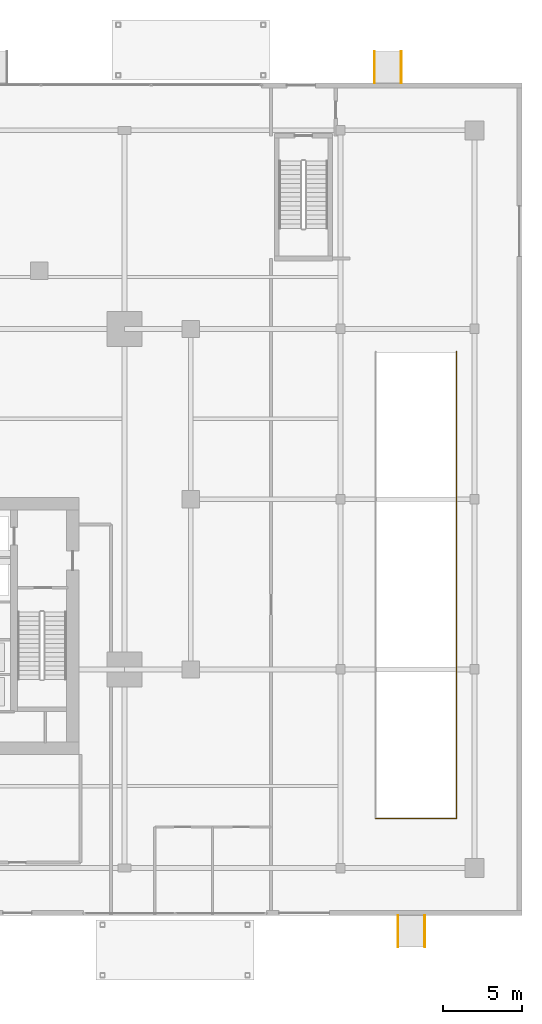
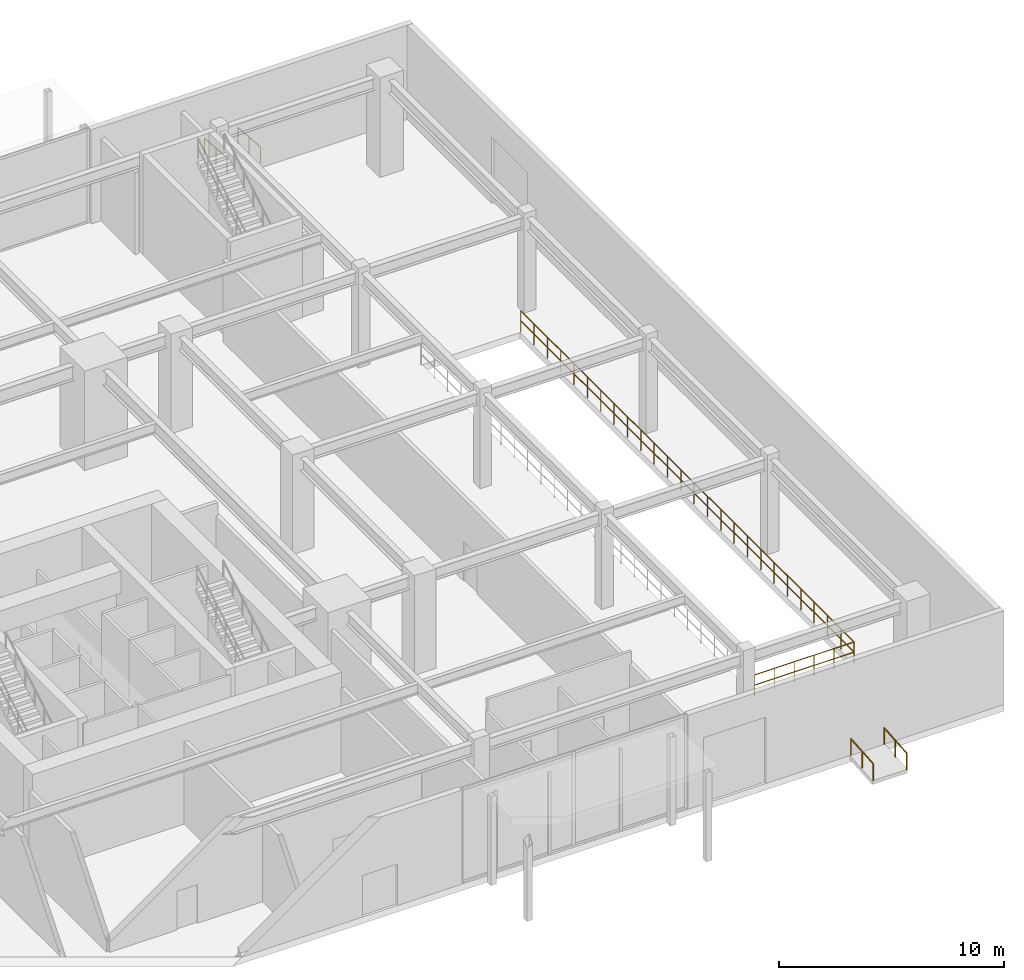
# One storey, part 26 of 28: 6 railings.
"""IFC4 building model written with IfcOpenShell, lengths in metres."""

from ifc_helpers import new_model, si_unit, direction, frame, origin, origin_2d, place, context, subcontext, project, spatial, circle, extrude, material, layer, layer_set, type_object, element, save


model = new_model("IFC4")

# Units and contexts
model_context = context("Model", 3, precision=1e-05, world=origin(), true_north=direction((0.0, 1.0)))
body_context = subcontext(model_context, "Body", "Model", "MODEL_VIEW")
ifc_project = project(units=[si_unit("LENGTHUNIT", "METRE"), si_unit("AREAUNIT", "SQUARE_METRE"), si_unit("VOLUMEUNIT", "CUBIC_METRE"), si_unit("PLANEANGLEUNIT", "RADIAN"), si_unit("MASSUNIT", "GRAM", prefix="KILO")], contexts=[model_context])

# Site, building, storey
site_placement = place(None, origin())
site = spatial("IfcSite", under=ifc_project, at=site_placement, CompositionType="ELEMENT")
building_placement = place(site_placement, origin())
building = spatial("IfcBuilding", under=site, at=building_placement, Name="Krantzveldt Concourse Tower", CompositionType="ELEMENT")
storey_placement = place(building_placement, origin())
storey = spatial("IfcBuildingStorey", under=building, at=storey_placement, Name="L00", CompositionType="ELEMENT", Elevation=0.0)

# Railings
ifc_material = material(Name="Stainless steel 316L", Category="steel")
ifc_layer_1 = layer(ifc_material, 0.06005859375, Name="Stainless steel 316L", Category="steel")
ifc_layer_set_1 = layer_set([ifc_layer_1], Name="Stainless steel 316L (RL-GUARD-1120)")
railing_type_1 = type_object("IfcRailingType", Name="RL-GUARD-1120", PredefinedType="GUARDRAIL", material=ifc_layer_set_1)
railing_1_placement = place(storey_placement, frame((62.739990234375, 6.43994140625, 0.0)))
element("IfcRailing", 1, at=railing_1_placement, inside=storey, type_object=railing_type_1, Name="GD-L00-VRMP-2", PredefinedType="GUARDRAIL", context=body_context, shape_type="SweptSolid", body=[
    extrude(circle(Radius=0.02392578125, at=origin_2d()), frame((0.0, 0.0, 1.1259765625), z_axis=(1.0, 0.0, 0.0), x_axis=(0.0, 1.0, 0.0)), (0.0, 0.0, 1.0), 5.1201171875),
    extrude(circle(Radius=0.02392578125, at=origin_2d()), frame((0.0, 0.0, 0.574951171875), z_axis=(1.0, 0.0, 0.0), x_axis=(0.0, 1.0, 0.0)), (0.0, 0.0, 1.0), 5.1201171875),
    extrude(circle(Radius=0.02099609375, at=origin_2d()), origin(), (0.0, 0.0, 1.0), 1.101806640625),
    extrude(circle(Radius=0.02099609375, at=origin_2d()), frame((1.02392578125, 0.0, 0.0)), (0.0, 0.0, 1.0), 1.101806640625),
    extrude(circle(Radius=0.02099609375, at=origin_2d()), frame((2.048095703125, 0.0, 0.0)), (0.0, 0.0, 1.0), 1.101806640625),
    extrude(circle(Radius=0.02099609375, at=origin_2d()), frame((3.072021484375, 0.0, 0.0)), (0.0, 0.0, 1.0), 1.101806640625),
    extrude(circle(Radius=0.02099609375, at=origin_2d()), frame((4.09619140625, 0.0, 0.0)), (0.0, 0.0, 1.0), 1.101806640625),
    extrude(circle(Radius=0.02099609375, at=origin_2d()), frame((5.1201171875, 0.0, 0.0)), (0.0, 0.0, 1.0), 1.101806640625),
])
railing_2_placement = place(storey_placement, frame((67.860107421875, 6.43994140625, 0.0)))
element("IfcRailing", 2, at=railing_2_placement, inside=storey, type_object=railing_type_1, Name="GD-L00-VRMP-3", PredefinedType="GUARDRAIL", context=body_context, shape_type="SweptSolid", body=[
    extrude(circle(Radius=0.02392578125, at=origin_2d()), frame((0.0, 0.0, 1.1259765625), z_axis=(0.0, 1.0, 0.0), x_axis=(-1.0, 0.0, 0.0)), (0.0, 0.0, 1.0), 29.610107421875),
    extrude(circle(Radius=0.02392578125, at=origin_2d()), frame((0.0, 0.0, 0.574951171875), z_axis=(0.0, 1.0, 0.0), x_axis=(-1.0, 0.0, 0.0)), (0.0, 0.0, 1.0), 29.610107421875),
    extrude(circle(Radius=0.02099609375, at=origin_2d()), origin(), (0.0, 0.0, 1.0), 1.101806640625),
    extrude(circle(Radius=0.02099609375, at=origin_2d()), frame((0.0, 1.184326171875, 0.0)), (0.0, 0.0, 1.0), 1.101806640625),
    extrude(circle(Radius=0.02099609375, at=origin_2d()), frame((0.0, 2.368896484375, 0.0)), (0.0, 0.0, 1.0), 1.101806640625),
    extrude(circle(Radius=0.02099609375, at=origin_2d()), frame((0.0, 3.55322265625, 0.0)), (0.0, 0.0, 1.0), 1.101806640625),
    extrude(circle(Radius=0.02099609375, at=origin_2d()), frame((0.0, 4.737548828125, 0.0)), (0.0, 0.0, 1.0), 1.101806640625),
    extrude(circle(Radius=0.02099609375, at=origin_2d()), frame((0.0, 5.922119140625, 0.0)), (0.0, 0.0, 1.0), 1.101806640625),
    extrude(circle(Radius=0.02099609375, at=origin_2d()), frame((0.0, 7.1064453125, 0.0)), (0.0, 0.0, 1.0), 1.101806640625),
    extrude(circle(Radius=0.02099609375, at=origin_2d()), frame((0.0, 8.290771484375, 0.0)), (0.0, 0.0, 1.0), 1.101806640625),
    extrude(circle(Radius=0.02099609375, at=origin_2d()), frame((0.0, 9.475341796875, 0.0)), (0.0, 0.0, 1.0), 1.101806640625),
    extrude(circle(Radius=0.02099609375, at=origin_2d()), frame((0.0, 10.65966796875, 0.0)), (0.0, 0.0, 1.0), 1.101806640625),
    extrude(circle(Radius=0.02099609375, at=origin_2d()), frame((0.0, 11.843994140625, 0.0)), (0.0, 0.0, 1.0), 1.101806640625),
    extrude(circle(Radius=0.02099609375, at=origin_2d()), frame((0.0, 13.028564453125, 0.0)), (0.0, 0.0, 1.0), 1.101806640625),
    extrude(circle(Radius=0.02099609375, at=origin_2d()), frame((0.0, 14.212890625, 0.0)), (0.0, 0.0, 1.0), 1.101806640625),
    extrude(circle(Radius=0.02099609375, at=origin_2d()), frame((0.0, 15.397216796875, 0.0)), (0.0, 0.0, 1.0), 1.101806640625),
    extrude(circle(Radius=0.02099609375, at=origin_2d()), frame((0.0, 16.58154296875, 0.0)), (0.0, 0.0, 1.0), 1.101806640625),
    extrude(circle(Radius=0.02099609375, at=origin_2d()), frame((0.0, 17.76611328125, 0.0)), (0.0, 0.0, 1.0), 1.101806640625),
    extrude(circle(Radius=0.02099609375, at=origin_2d()), frame((0.0, 18.950439453125, 0.0)), (0.0, 0.0, 1.0), 1.101806640625),
    extrude(circle(Radius=0.02099609375, at=origin_2d()), frame((0.0, 20.134765625, 0.0)), (0.0, 0.0, 1.0), 1.101806640625),
    extrude(circle(Radius=0.02099609375, at=origin_2d()), frame((0.0, 21.3193359375, 0.0)), (0.0, 0.0, 1.0), 1.101806640625),
    extrude(circle(Radius=0.02099609375, at=origin_2d()), frame((0.0, 22.503662109375, 0.0)), (0.0, 0.0, 1.0), 1.101806640625),
    extrude(circle(Radius=0.02099609375, at=origin_2d()), frame((0.0, 23.68798828125, 0.0)), (0.0, 0.0, 1.0), 1.101806640625),
    extrude(circle(Radius=0.02099609375, at=origin_2d()), frame((0.0, 24.87255859375, 0.0)), (0.0, 0.0, 1.0), 1.101806640625),
    extrude(circle(Radius=0.02099609375, at=origin_2d()), frame((0.0, 26.056884765625, 0.0)), (0.0, 0.0, 1.0), 1.101806640625),
    extrude(circle(Radius=0.02099609375, at=origin_2d()), frame((0.0, 27.2412109375, 0.0)), (0.0, 0.0, 1.0), 1.101806640625),
    extrude(circle(Radius=0.02099609375, at=origin_2d()), frame((0.0, 28.42578125, 0.0)), (0.0, 0.0, 1.0), 1.101806640625),
    extrude(circle(Radius=0.02099609375, at=origin_2d()), frame((0.0, 29.610107421875, 0.0)), (0.0, 0.0, 1.0), 1.101806640625),
])
ifc_layer_2 = layer(ifc_material, 0.050048828125, Name="Stainless steel 316L", Category="steel")
ifc_layer_set_2 = layer_set([ifc_layer_2], Name="Stainless steel 316L (RL-HANDRAIL-920)")
railing_type_2 = type_object("IfcRailingType", Name="RL-HANDRAIL-920", PredefinedType="HANDRAIL", material=ifc_layer_set_2)
for number, where, name in (
    (3, (62.64990234375, 55.10009765625, -0.14990234375), "RMP-L00-ACC03-HRL"),
    (4, (64.35009765625, 55.10009765625, -0.14990234375), "RMP-L00-ACC03-HRR"),
):
    element("IfcRailing", number, at=place(storey_placement, frame(where)), inside=storey, type_object=railing_type_2, Name=name, PredefinedType="HANDRAIL", context=body_context, shape_type="SweptSolid", body=[
        extrude(circle(Radius=0.02392578125, at=origin_2d()), frame((0.0, 0.0, 0.89599609375), z_axis=(0.0, -0.997202940152, 0.074741528962), x_axis=(1.0, 0.0, 0.0)), (0.0, 0.0, 1.0), 2.005615234375),
        extrude(circle(Radius=0.02099609375, at=origin_2d()), origin(), (0.0, 0.0, 1.0), 0.871826171875),
        extrude(circle(Radius=0.02099609375, at=origin_2d()), frame((0.0, -1.0, 0.074951171875)), (0.0, 0.0, 1.0), 0.871826171875),
        extrude(circle(Radius=0.02099609375, at=origin_2d()), frame((0.0, -2.0, 0.14990234375)), (0.0, 0.0, 1.0), 0.871826171875),
    ])
for number, where, name in (
    (5, (64.14990234375, -1.699951171875, -0.14990234375), "RMP-L00-ACC05-HRL"),
    (6, (65.85009765625, -1.699951171875, -0.14990234375), "RMP-L00-ACC05-HRR"),
):
    element("IfcRailing", number, at=place(storey_placement, frame(where)), inside=storey, type_object=railing_type_2, Name=name, PredefinedType="HANDRAIL", context=body_context, shape_type="SweptSolid", body=[
        extrude(circle(Radius=0.02392578125, at=origin_2d()), frame((0.0, 0.0, 0.89599609375), z_axis=(0.0, 0.997202940152, 0.074741528962), x_axis=(-1.0, 0.0, 0.0)), (0.0, 0.0, 1.0), 2.005615234375),
        extrude(circle(Radius=0.02099609375, at=origin_2d()), origin(), (0.0, 0.0, 1.0), 0.871826171875),
        extrude(circle(Radius=0.02099609375, at=origin_2d()), frame((0.0, 1.0, 0.074951171875)), (0.0, 0.0, 1.0), 0.871826171875),
        extrude(circle(Radius=0.02099609375, at=origin_2d()), frame((0.0, 2.0, 0.14990234375)), (0.0, 0.0, 1.0), 0.871826171875),
    ])

save(model, "model.ifc")
